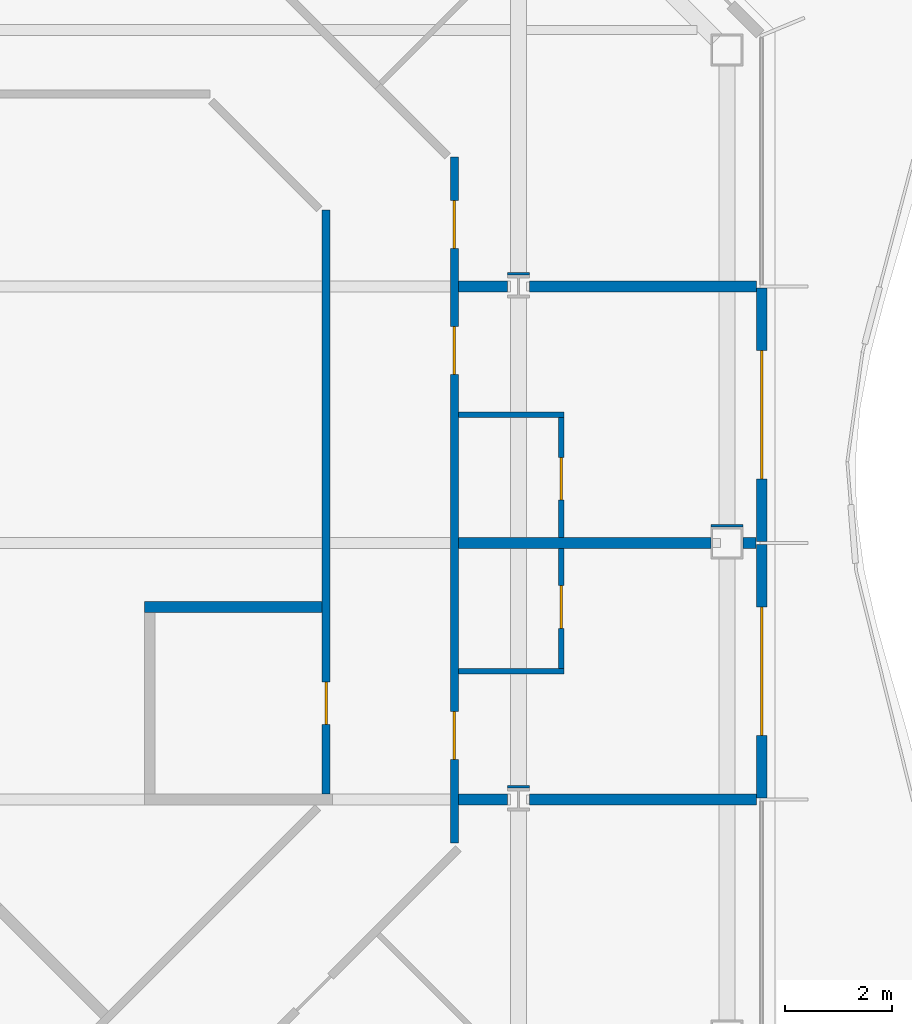
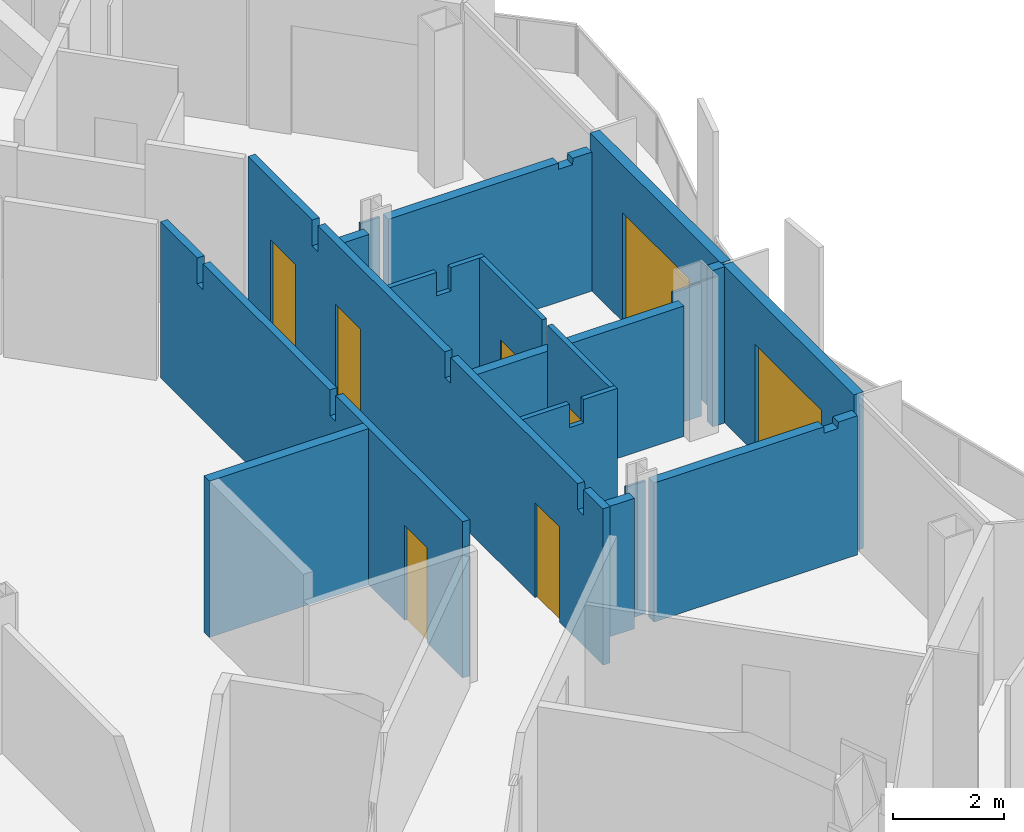
# One storey, part 11 of 21: 18 walls, 8 doors, 8 openings.
"""IFC4 building model written with IfcOpenShell, lengths in metres."""

from ifc_helpers import new_model, si_unit, direction, frame, frame_2d, origin, place, context, subcontext, project, spatial, polyline, rectangle, outline, extrude, material, layer, layer_set, type_object, element, fill, save


model = new_model("IFC4")

# Units and contexts
model_context = context("Model", 3, precision=1e-05, world=origin(), true_north=direction((0.0, 1.0)))
body_context = subcontext(model_context, "Body", "Model", "MODEL_VIEW")
ifc_project = project(units=[si_unit("LENGTHUNIT", "METRE"), si_unit("AREAUNIT", "SQUARE_METRE"), si_unit("VOLUMEUNIT", "CUBIC_METRE"), si_unit("PLANEANGLEUNIT", "RADIAN"), si_unit("MASSUNIT", "GRAM", prefix="KILO")], contexts=[model_context])

# Site, building, storey
site_placement = place(None, origin())
site = spatial("IfcSite", under=ifc_project, at=site_placement, CompositionType="ELEMENT")
building_placement = place(site_placement, origin())
building = spatial("IfcBuilding", under=site, at=building_placement, Name="Cairn Pilgrim Tower", CompositionType="ELEMENT")
storey_placement = place(building_placement, frame((0.0, 0.0, 161.39990234375)))
storey = spatial("IfcBuildingStorey", under=building, at=storey_placement, Name="L40", CompositionType="ELEMENT", Elevation=161.39990234375)

# Wall, opening, door
ifc_material_1 = material(Name="Bronze anodised aluminium insulated sandwich panel with mineral wool fill", Category="aluminium")
ifc_layer_1 = layer(ifc_material_1, 0.199951171875)
ifc_layer_set_1 = layer_set([ifc_layer_1], Name="BRONZE INFILL FRAME WALL 200")
wall_type_1 = type_object("IfcWallType", Name="BRONZE INFILL FRAME WALL 200", PredefinedType="NOTDEFINED", material=ifc_layer_set_1)
wall_1_placement = place(storey_placement, frame((35.75, 0.030029296875, 0.0), z_axis=(0.0, 0.0, 1.0), x_axis=(0.0, 1.0, 0.0)))
wall_1 = element("IfcWall", 1, at=wall_1_placement, inside=storey, type_object=wall_type_1, Name="Bronze infill frame wall IW-E2", PredefinedType="NOTDEFINED", context=body_context, shape_type="SweptSolid", body=[
    extrude(rectangle(XDim=4.739990234375, YDim=0.199951171875, at=frame_2d((2.3701171875, 0.0))), origin(), (0.0, 0.0, 1.0), 3.4501953125),
])
opening_1_placement = place(wall_1_placement, frame((1.169921875, 0.0, 0.0)))
opening_1 = element("IfcOpeningElement", 2, at=opening_1_placement, cuts=wall_1, Name="Opening 4006B", PredefinedType="OPENING", context=body_context, shape_type="SweptSolid", body=[
    extrude(rectangle(XDim=2.39990234375, YDim=2.39990234375, at=frame_2d((1.199951171875, 1.199951171875))), frame((0.0, 0.10986328125, 0.0), z_axis=(0.0, -1.0, 0.0), x_axis=(1.0, 0.0, 0.0)), (0.0, 0.0, 1.0), 0.219970703125),
])
ifc_material_2 = material(Name="Bronze anodised aluminium frame with tinted low-E glass", Category="aluminium")
door_type_1 = type_object("IfcDoorType", Name="BALCONY SLIDING DOOR 2400x2400", OperationType="DOUBLE_DOOR_SLIDING", PredefinedType="DOOR", material=ifc_material_2)
door_1_placement = place(opening_1_placement, origin())
door_1 = element("IfcDoor", 3, at=door_1_placement, inside=storey, type_object=door_type_1, Name="Balcony sliding door 4006B", OperationType="SINGLE_SWING_LEFT", OverallHeight=2.39990234375, OverallWidth=2.39990234375, PredefinedType="DOOR", context=body_context, shape_type="SweptSolid", body=[
    extrude(rectangle(XDim=2.39990234375, YDim=2.39990234375, at=frame_2d((1.199951171875, 1.199951171875))), frame((0.0, 0.02490234375, 0.0), z_axis=(0.0, -1.0, 0.0), x_axis=(1.0, 0.0, 0.0)), (0.0, 0.0, 1.0), 0.050048828125),
])
fill(opening_1, door_1)

wall_2_placement = place(storey_placement, frame((35.75, 4.830078125, 0.0), z_axis=(0.0, 0.0, 1.0), x_axis=(0.0, 1.0, 0.0)))
wall_2 = element("IfcWall", 4, at=wall_2_placement, inside=storey, type_object=wall_type_1, Name="Bronze infill frame wall IW-E3", PredefinedType="NOTDEFINED", context=body_context, shape_type="SweptSolid", body=[
    extrude(rectangle(XDim=4.739990234375, YDim=0.199951171875, at=frame_2d((2.3701171875, 0.0))), origin(), (0.0, 0.0, 1.0), 3.4501953125),
])
opening_2_placement = place(wall_2_placement, frame((1.169921875, 0.0, 0.0)))
opening_2 = element("IfcOpeningElement", 5, at=opening_2_placement, cuts=wall_2, Name="Opening 4007B", PredefinedType="OPENING", context=body_context, shape_type="SweptSolid", body=[
    extrude(rectangle(XDim=2.39990234375, YDim=2.39990234375, at=frame_2d((1.199951171875, 1.199951171875))), frame((0.0, 0.10986328125, 0.0), z_axis=(0.0, -1.0, 0.0), x_axis=(1.0, 0.0, 0.0)), (0.0, 0.0, 1.0), 0.219970703125),
])
door_2_placement = place(opening_2_placement, origin())
door_2 = element("IfcDoor", 6, at=door_2_placement, inside=storey, type_object=door_type_1, Name="Balcony sliding door 4007B", OperationType="SINGLE_SWING_LEFT", OverallHeight=2.39990234375, OverallWidth=2.39990234375, PredefinedType="DOOR", context=body_context, shape_type="SweptSolid", body=[
    extrude(rectangle(XDim=2.39990234375, YDim=2.39990234375, at=frame_2d((1.199951171875, 1.199951171875))), frame((0.0, 0.02490234375, 0.0), z_axis=(0.0, -1.0, 0.0), x_axis=(1.0, 0.0, 0.0)), (0.0, 0.0, 1.0), 0.050048828125),
])
fill(opening_2, door_2)

# Wall
ifc_material_3 = material(Name="Gypsum partition")
ifc_layer_2 = layer(ifc_material_3, 0.10009765625)
ifc_layer_set_2 = layer_set([ifc_layer_2], Name="PARTITION 100 DRYWALL")
wall_type_2 = type_object("IfcWallType", Name="PARTITION 100 DRYWALL", PredefinedType="PARTITIONING", material=ifc_layer_set_2)
wall_3_placement = place(storey_placement, frame((30.074951171875, 2.39990234375, 0.0), z_axis=(0.0, 0.0, 1.0), x_axis=(1.0, 0.0, 0.0)))
element("IfcWall", 7, at=wall_3_placement, inside=storey, type_object=wall_type_2, Name="PARTITION W052", PredefinedType="PARTITIONING", context=body_context, shape_type="SweptSolid", body=[
    extrude(outline(polyline([(0.0, 0.0), (1.97509765625, 0.0), (1.97509765625, 3.4501953125), (1.27490234375, 3.4501953125), (1.27294921875, 2.93017578125), (0.97509765625, 2.93017578125), (0.972900390625, 3.4501953125), (0.0, 3.4501953125), (0.0, 0.0)])), frame((0.0, 0.050048828125, 0.0), z_axis=(0.0, -1.0, 0.0), x_axis=(1.0, 0.0, 0.0)), (0.0, 0.0, 1.0), 0.10009765625),
])

# Wall, opening, door
wall_4_placement = place(storey_placement, frame((32.0, 2.449951171875, 0.0), z_axis=(0.0, 0.0, 1.0), x_axis=(0.0, 1.0, 0.0)))
wall_4 = element("IfcWall", 8, at=wall_4_placement, inside=storey, type_object=wall_type_2, Name="PARTITION W053", PredefinedType="PARTITIONING", context=body_context, shape_type="SweptSolid", body=[
    extrude(rectangle(XDim=2.25, YDim=0.10009765625, at=frame_2d((1.125, 0.0))), origin(), (0.0, 0.0, 1.0), 3.4501953125),
])
opening_3_placement = place(wall_4_placement, frame((0.75, 0.0, 0.0)))
opening_3 = element("IfcOpeningElement", 9, at=opening_3_placement, cuts=wall_4, Name="Opening 4006A", PredefinedType="OPENING", context=body_context, shape_type="SweptSolid", body=[
    extrude(rectangle(XDim=0.800048828125, YDim=2.10009765625, at=frame_2d((0.39990234375, 1.050048828125))), frame((0.0, 0.06005859375, 0.0), z_axis=(0.0, -1.0, 0.0), x_axis=(1.0, 0.0, 0.0)), (0.0, 0.0, 1.0), 0.1201171875),
])
ifc_material_4 = material(Name="Timber door leaf", Category="wood")
door_type_2 = type_object("IfcDoorType", Name="WC DOOR 800x2100", OperationType="NOTDEFINED", PredefinedType="DOOR", material=ifc_material_4)
door_3_placement = place(opening_3_placement, frame((0.800048828125, 0.0, 0.0), z_axis=(0.0, 0.0, 1.0), x_axis=(-1.0, 0.0, 0.0)))
door_3 = element("IfcDoor", 10, at=door_3_placement, inside=storey, type_object=door_type_2, Name="DOOR 4006A", OperationType="SINGLE_SWING_RIGHT", OverallHeight=2.10009765625, OverallWidth=0.800048828125, PredefinedType="DOOR", context=body_context, shape_type="SweptSolid", body=[
    extrude(rectangle(XDim=0.800048828125, YDim=2.10009765625, at=frame_2d((0.39990234375, 1.050048828125))), frame((0.0, 0.02490234375, 0.0), z_axis=(0.0, -1.0, 0.0), x_axis=(1.0, 0.0, 0.0)), (0.0, 0.0, 1.0), 0.050048828125),
])
fill(opening_3, door_3)

wall_5_placement = place(storey_placement, frame((32.0, 4.89990234375, 0.0), z_axis=(0.0, 0.0, 1.0), x_axis=(0.0, 1.0, 0.0)))
wall_5 = element("IfcWall", 11, at=wall_5_placement, inside=storey, type_object=wall_type_2, Name="PARTITION W062", PredefinedType="PARTITIONING", context=body_context, shape_type="SweptSolid", body=[
    extrude(rectangle(XDim=2.25, YDim=0.10009765625, at=frame_2d((1.125, 0.0))), origin(), (0.0, 0.0, 1.0), 3.4501953125),
])
opening_4_placement = place(wall_5_placement, frame((0.699951171875, 0.0, 0.0)))
opening_4 = element("IfcOpeningElement", 12, at=opening_4_placement, cuts=wall_5, Name="Opening 4007A", PredefinedType="OPENING", context=body_context, shape_type="SweptSolid", body=[
    extrude(rectangle(XDim=0.800048828125, YDim=2.10009765625, at=frame_2d((0.39990234375, 1.050048828125))), frame((0.0, 0.06005859375, 0.0), z_axis=(0.0, -1.0, 0.0), x_axis=(1.0, 0.0, 0.0)), (0.0, 0.0, 1.0), 0.1201171875),
])
door_4_placement = place(opening_4_placement, frame((0.800048828125, 0.0, 0.0), z_axis=(0.0, 0.0, 1.0), x_axis=(-1.0, 0.0, 0.0)))
door_4 = element("IfcDoor", 13, at=door_4_placement, inside=storey, type_object=door_type_2, Name="DOOR 4007A", OperationType="SINGLE_SWING_RIGHT", OverallHeight=2.10009765625, OverallWidth=0.800048828125, PredefinedType="DOOR", context=body_context, shape_type="SweptSolid", body=[
    extrude(rectangle(XDim=0.800048828125, YDim=2.10009765625, at=frame_2d((0.39990234375, 1.050048828125))), frame((0.0, 0.02490234375, 0.0), z_axis=(0.0, -1.0, 0.0), x_axis=(1.0, 0.0, 0.0)), (0.0, 0.0, 1.0), 0.050048828125),
])
fill(opening_4, door_4)

# Wall
wall_6_placement = place(storey_placement, frame((30.074951171875, 7.199951171875, 0.0), z_axis=(0.0, 0.0, 1.0), x_axis=(1.0, 0.0, 0.0)))
element("IfcWall", 14, at=wall_6_placement, inside=storey, type_object=wall_type_2, Name="PARTITION W064", PredefinedType="PARTITIONING", context=body_context, shape_type="SweptSolid", body=[
    extrude(outline(polyline([(0.0, 0.0), (1.97509765625, 0.0), (1.97509765625, 3.4501953125), (1.27490234375, 3.4501953125), (1.27294921875, 2.93017578125), (0.97509765625, 2.93017578125), (0.972900390625, 3.4501953125), (0.0, 3.4501953125), (0.0, 0.0)])), frame((0.0, 0.050048828125, 0.0), z_axis=(0.0, -1.0, 0.0), x_axis=(1.0, 0.0, 0.0)), (0.0, 0.0, 1.0), 0.10009765625),
])

# Wall, openings, doors
ifc_layer_3 = layer(ifc_material_3, 0.14990234375)
ifc_layer_set_3 = layer_set([ifc_layer_3], Name="PARTITION 150 DRYWALL EI 60")
wall_type_3 = type_object("IfcWallType", Name="PARTITION 150 DRYWALL EI 60", PredefinedType="PARTITIONING", material=ifc_layer_set_3)
wall_7_placement = place(storey_placement, frame((30.0, -0.81298828125, 0.0), z_axis=(0.0, 0.0, 1.0), x_axis=(0.0, 1.0, 0.0)))
wall_7 = element("IfcWall", 15, at=wall_7_placement, inside=storey, type_object=wall_type_3, Name="PARTITION W042", PredefinedType="PARTITIONING", context=body_context, shape_type="SweptSolid", body=[
    extrude(outline(polyline([(0.0, 0.0), (12.833984375, 0.0), (12.833984375, 3.4501953125), (10.517822265625, 3.4501953125), (10.515869140625, 2.880126953125), (10.307861328125, 2.880126953125), (10.305908203125, 3.4501953125), (5.718017578125, 3.4501953125), (5.7158203125, 2.880126953125), (5.5078125, 2.880126953125), (5.505859375, 3.4501953125), (0.91796875, 3.4501953125), (0.916015625, 2.880126953125), (0.7080078125, 2.880126953125), (0.705810546875, 3.4501953125), (0.0, 3.4501953125), (0.0, 0.0)])), frame((0.0, 0.074951171875, 0.0), z_axis=(0.0, -1.0, 0.0), x_axis=(1.0, 0.0, 0.0)), (0.0, 0.0, 1.0), 0.14990234375),
])
opening_5_placement = place(wall_7_placement, frame((1.56298828125, 0.0, 0.0)))
opening_5 = element("IfcOpeningElement", 16, at=opening_5_placement, cuts=wall_7, Name="Opening 4006", PredefinedType="OPENING", context=body_context, shape_type="SweptSolid", body=[
    extrude(rectangle(XDim=0.89990234375, YDim=2.10009765625, at=frame_2d((0.449951171875, 1.050048828125))), frame((0.0, 0.0849609375, 0.0), z_axis=(0.0, -1.0, 0.0), x_axis=(1.0, 0.0, 0.0)), (0.0, 0.0, 1.0), 0.169921875),
])
opening_6_placement = place(wall_7_placement, frame((8.762939453125, 0.0, 0.0)))
opening_6 = element("IfcOpeningElement", 17, at=opening_6_placement, cuts=wall_7, Name="Opening 4007", PredefinedType="OPENING", context=body_context, shape_type="SweptSolid", body=[
    extrude(rectangle(XDim=0.89990234375, YDim=2.10009765625, at=frame_2d((0.449951171875, 1.050048828125))), frame((0.0, 0.0849609375, 0.0), z_axis=(0.0, -1.0, 0.0), x_axis=(1.0, 0.0, 0.0)), (0.0, 0.0, 1.0), 0.169921875),
])
opening_7_placement = place(wall_7_placement, frame((11.120849609375, 0.0, 0.0)))
opening_7 = element("IfcOpeningElement", 18, at=opening_7_placement, cuts=wall_7, Name="Opening 4008", PredefinedType="OPENING", context=body_context, shape_type="SweptSolid", body=[
    extrude(rectangle(XDim=0.89990234375, YDim=2.10009765625, at=frame_2d((0.449951171875, 1.050048828125))), frame((0.0, 0.0849609375, 0.0), z_axis=(0.0, -1.0, 0.0), x_axis=(1.0, 0.0, 0.0)), (0.0, 0.0, 1.0), 0.169921875),
])
door_type_3 = type_object("IfcDoorType", Name="ROOM DOOR 900x2100 FD30S", OperationType="NOTDEFINED", PredefinedType="DOOR", material=ifc_material_4)
door_5_placement = place(opening_5_placement, frame((0.89990234375, 0.0, 0.0), z_axis=(0.0, 0.0, 1.0), x_axis=(-1.0, 0.0, 0.0)))
door_5 = element("IfcDoor", 19, at=door_5_placement, inside=storey, type_object=door_type_3, Name="DOOR 4006", OperationType="SINGLE_SWING_RIGHT", OverallHeight=2.10009765625, OverallWidth=0.89990234375, PredefinedType="DOOR", context=body_context, shape_type="SweptSolid", body=[
    extrude(rectangle(XDim=0.89990234375, YDim=2.10009765625, at=frame_2d((0.449951171875, 1.050048828125))), frame((0.0, 0.02490234375, 0.0), z_axis=(0.0, -1.0, 0.0), x_axis=(1.0, 0.0, 0.0)), (0.0, 0.0, 1.0), 0.050048828125),
])
fill(opening_5, door_5)
door_6_placement = place(opening_6_placement, frame((0.89990234375, 0.0, 0.0), z_axis=(0.0, 0.0, 1.0), x_axis=(-1.0, 0.0, 0.0)))
door_6 = element("IfcDoor", 20, at=door_6_placement, inside=storey, type_object=door_type_3, Name="DOOR 4007", OperationType="SINGLE_SWING_RIGHT", OverallHeight=2.10009765625, OverallWidth=0.89990234375, PredefinedType="DOOR", context=body_context, shape_type="SweptSolid", body=[
    extrude(rectangle(XDim=0.89990234375, YDim=2.10009765625, at=frame_2d((0.449951171875, 1.050048828125))), frame((0.0, 0.02490234375, 0.0), z_axis=(0.0, -1.0, 0.0), x_axis=(1.0, 0.0, 0.0)), (0.0, 0.0, 1.0), 0.050048828125),
])
fill(opening_6, door_6)
door_7_placement = place(opening_7_placement, frame((0.89990234375, 0.0, 0.0), z_axis=(0.0, 0.0, 1.0), x_axis=(-1.0, 0.0, 0.0)))
door_7 = element("IfcDoor", 21, at=door_7_placement, inside=storey, type_object=door_type_3, Name="DOOR 4008", OperationType="SINGLE_SWING_RIGHT", OverallHeight=2.10009765625, OverallWidth=0.89990234375, PredefinedType="DOOR", context=body_context, shape_type="SweptSolid", body=[
    extrude(rectangle(XDim=0.89990234375, YDim=2.10009765625, at=frame_2d((0.449951171875, 1.050048828125))), frame((0.0, 0.02490234375, 0.0), z_axis=(0.0, -1.0, 0.0), x_axis=(1.0, 0.0, 0.0)), (0.0, 0.0, 1.0), 0.050048828125),
])
fill(opening_7, door_7)

# Wall, opening, door
wall_8_placement = place(storey_placement, frame((27.60009765625, 0.10009765625, 0.0), z_axis=(0.0, 0.0, 1.0), x_axis=(0.0, 1.0, 0.0)))
wall_8 = element("IfcWall", 22, at=wall_8_placement, inside=storey, type_object=wall_type_3, Name="PARTITION W049", PredefinedType="PARTITIONING", context=body_context, shape_type="SweptSolid", body=[
    extrude(outline(polyline([(0.0, 0.0), (10.927001953125, 0.0), (10.927001953125, 3.4501953125), (9.60498046875, 3.4501953125), (9.60302734375, 2.880126953125), (9.39501953125, 2.880126953125), (9.39306640625, 3.4501953125), (4.804931640625, 3.4501953125), (4.802978515625, 2.880126953125), (4.594970703125, 2.880126953125), (4.593017578125, 3.4501953125), (0.0048828125, 3.4501953125), (0.0029296875, 2.880126953125), (0.0, 2.880126953125), (0.0, 0.0)])), frame((0.0, 0.074951171875, 0.0), z_axis=(0.0, -1.0, 0.0), x_axis=(1.0, 0.0, 0.0)), (0.0, 0.0, 1.0), 0.14990234375),
])
opening_8_placement = place(wall_8_placement, frame((1.300048828125, 0.0, 0.0)))
opening_8 = element("IfcOpeningElement", 23, at=opening_8_placement, cuts=wall_8, Name="Opening 4024", PredefinedType="OPENING", context=body_context, shape_type="SweptSolid", body=[
    extrude(rectangle(XDim=0.800048828125, YDim=2.10009765625, at=frame_2d((0.39990234375, 1.050048828125))), frame((0.0, 0.0849609375, 0.0), z_axis=(0.0, -1.0, 0.0), x_axis=(1.0, 0.0, 0.0)), (0.0, 0.0, 1.0), 0.169921875),
])
door_type_4 = type_object("IfcDoorType", Name="WC DOOR 800x2100 FD30S", OperationType="NOTDEFINED", PredefinedType="DOOR", material=ifc_material_4)
door_8_placement = place(opening_8_placement, origin())
door_8 = element("IfcDoor", 24, at=door_8_placement, inside=storey, type_object=door_type_4, Name="DOOR 4024", OperationType="SINGLE_SWING_RIGHT", OverallHeight=2.10009765625, OverallWidth=0.800048828125, PredefinedType="DOOR", context=body_context, shape_type="SweptSolid", body=[
    extrude(rectangle(XDim=0.800048828125, YDim=2.10009765625, at=frame_2d((0.39990234375, 1.050048828125))), frame((0.0, 0.02490234375, 0.0), z_axis=(0.0, -1.0, 0.0), x_axis=(1.0, 0.0, 0.0)), (0.0, 0.0, 1.0), 0.050048828125),
])
fill(opening_8, door_8)

# Walls
ifc_layer_4 = layer(ifc_material_3, 0.050048828125)
ifc_layer_set_4 = layer_set([ifc_layer_4], Name="PARTITION 50 DRYWALL EI 60")
wall_type_4 = type_object("IfcWallType", Name="PARTITION 50 DRYWALL EI 60", PredefinedType="PARTITIONING", material=ifc_layer_set_4)
wall_9_placement = place(storey_placement, frame((30.99560546875, 0.237548828125, 0.0), z_axis=(0.0, 0.0, 1.0), x_axis=(1.0, 0.0, 0.0)))
element("IfcWall", 25, at=wall_9_placement, inside=storey, type_object=wall_type_4, Name="COLUMN CASING WC18", PredefinedType="PARTITIONING", context=body_context, shape_type="SweptSolid", body=[
    extrude(rectangle(XDim=0.408935546875, YDim=0.050048828125, at=frame_2d((0.20458984375, 0.0))), origin(), (0.0, 0.0, 1.0), 2.93017578125),
])
wall_10_placement = place(storey_placement, frame((34.800048828125, 5.125, 0.0), z_axis=(0.0, 0.0, 1.0), x_axis=(1.0, 0.0, 0.0)))
element("IfcWall", 26, at=wall_10_placement, inside=storey, type_object=wall_type_4, Name="COLUMN CASING WC20", PredefinedType="PARTITIONING", context=body_context, shape_type="SweptSolid", body=[
    extrude(rectangle(XDim=0.599853515625, YDim=0.050048828125, at=frame_2d((0.2998046875, 0.0))), origin(), (0.0, 0.0, 1.0), 2.93017578125),
])
wall_11_placement = place(storey_placement, frame((30.99560546875, 9.83740234375, 0.0), z_axis=(0.0, 0.0, 1.0), x_axis=(1.0, 0.0, 0.0)))
element("IfcWall", 27, at=wall_11_placement, inside=storey, type_object=wall_type_4, Name="COLUMN CASING WC22", PredefinedType="PARTITIONING", context=body_context, shape_type="SweptSolid", body=[
    extrude(rectangle(XDim=0.408935546875, YDim=0.050048828125, at=frame_2d((0.20458984375, 0.0))), origin(), (0.0, 0.0, 1.0), 2.93017578125),
])
ifc_layer_5 = layer(ifc_material_3, 0.199951171875)
ifc_layer_set_5 = layer_set([ifc_layer_5], Name="SHAFT WALL 200 GYPSUM EI 60")
wall_type_5 = type_object("IfcWallType", Name="SHAFT WALL 200 GYPSUM EI 60", PredefinedType="PARTITIONING", material=ifc_layer_set_5)
wall_12_placement = place(storey_placement, frame((30.074951171875, 0.0, 0.0), z_axis=(0.0, 0.0, 1.0), x_axis=(1.0, 0.0, 0.0)))
element("IfcWall", 28, at=wall_12_placement, inside=storey, type_object=wall_type_5, Name="PARTITION W046", PredefinedType="PARTITIONING", context=body_context, shape_type="SweptSolid", body=[
    extrude(rectangle(XDim=0.920654296875, YDim=0.199951171875, at=frame_2d((0.46044921875, 0.0))), origin(), (0.0, 0.0, 1.0), 2.880126953125),
])
wall_13_placement = place(storey_placement, frame((31.404541015625, 0.0, 0.0), z_axis=(0.0, 0.0, 1.0), x_axis=(1.0, 0.0, 0.0)))
element("IfcWall", 29, at=wall_13_placement, inside=storey, type_object=wall_type_5, Name="PARTITION W047", PredefinedType="PARTITIONING", context=body_context, shape_type="SweptSolid", body=[
    extrude(outline(polyline([(0.0, 0.0), (4.245361328125, 0.0), (4.24560546875, 3.070068359375), (3.845458984375, 3.070068359375), (3.843505859375, 2.93017578125), (3.54541015625, 2.93017578125), (3.54345703125, 3.070068359375), (0.0, 3.070068359375), (0.0, 0.0)])), frame((0.0, 0.10009765625, 0.0), z_axis=(0.0, -1.0, 0.0), x_axis=(1.0, 0.0, 0.0)), (0.0, 0.0, 1.0), 0.199951171875),
])
wall_14_placement = place(storey_placement, frame((24.199951171875, 3.60009765625, 0.0), z_axis=(0.0, 0.0, 1.0), x_axis=(1.0, 0.0, 0.0)))
element("IfcWall", 30, at=wall_14_placement, inside=storey, type_object=wall_type_5, Name="PARTITION W056", PredefinedType="PARTITIONING", context=body_context, shape_type="SweptSolid", body=[
    extrude(rectangle(XDim=3.324951171875, YDim=0.199951171875, at=frame_2d((1.66259765625, 0.0))), origin(), (0.0, 0.0, 1.0), 3.4501953125),
])
wall_15_placement = place(storey_placement, frame((30.074951171875, 4.800048828125, 0.0), z_axis=(0.0, 0.0, 1.0), x_axis=(1.0, 0.0, 0.0)))
element("IfcWall", 31, at=wall_15_placement, inside=storey, type_object=wall_type_5, Name="PARTITION W059", PredefinedType="PARTITIONING", context=body_context, shape_type="SweptSolid", body=[
    extrude(rectangle(XDim=4.72509765625, YDim=0.199951171875, at=frame_2d((2.362548828125, 0.0))), origin(), (0.0, 0.0, 1.0), 2.880126953125),
])
wall_16_placement = place(storey_placement, frame((35.39990234375, 4.800048828125, 0.0), z_axis=(0.0, 0.0, 1.0), x_axis=(1.0, 0.0, 0.0)))
element("IfcWall", 32, at=wall_16_placement, inside=storey, type_object=wall_type_5, Name="PARTITION W060", PredefinedType="PARTITIONING", context=body_context, shape_type="SweptSolid", body=[
    extrude(rectangle(XDim=0.25, YDim=0.199951171875, at=frame_2d((0.125, 0.0))), origin(), (0.0, 0.0, 1.0), 3.4501953125),
])
wall_17_placement = place(storey_placement, frame((30.074951171875, 9.60009765625, 0.0), z_axis=(0.0, 0.0, 1.0), x_axis=(1.0, 0.0, 0.0)))
element("IfcWall", 33, at=wall_17_placement, inside=storey, type_object=wall_type_5, Name="PARTITION W067", PredefinedType="PARTITIONING", context=body_context, shape_type="SweptSolid", body=[
    extrude(rectangle(XDim=0.920654296875, YDim=0.199951171875, at=frame_2d((0.46044921875, 0.0))), origin(), (0.0, 0.0, 1.0), 2.880126953125),
])
wall_18_placement = place(storey_placement, frame((31.404541015625, 9.60009765625, 0.0), z_axis=(0.0, 0.0, 1.0), x_axis=(1.0, 0.0, 0.0)))
element("IfcWall", 34, at=wall_18_placement, inside=storey, type_object=wall_type_5, Name="PARTITION W068", PredefinedType="PARTITIONING", context=body_context, shape_type="SweptSolid", body=[
    extrude(outline(polyline([(0.0, 0.0), (4.245361328125, 0.0), (4.24560546875, 3.070068359375), (3.845458984375, 3.070068359375), (3.843505859375, 2.93017578125), (3.54541015625, 2.93017578125), (3.54345703125, 3.070068359375), (0.0, 3.070068359375), (0.0, 0.0)])), frame((0.0, 0.10009765625, 0.0), z_axis=(0.0, -1.0, 0.0), x_axis=(1.0, 0.0, 0.0)), (0.0, 0.0, 1.0), 0.199951171875),
])

save(model, "model.ifc")
